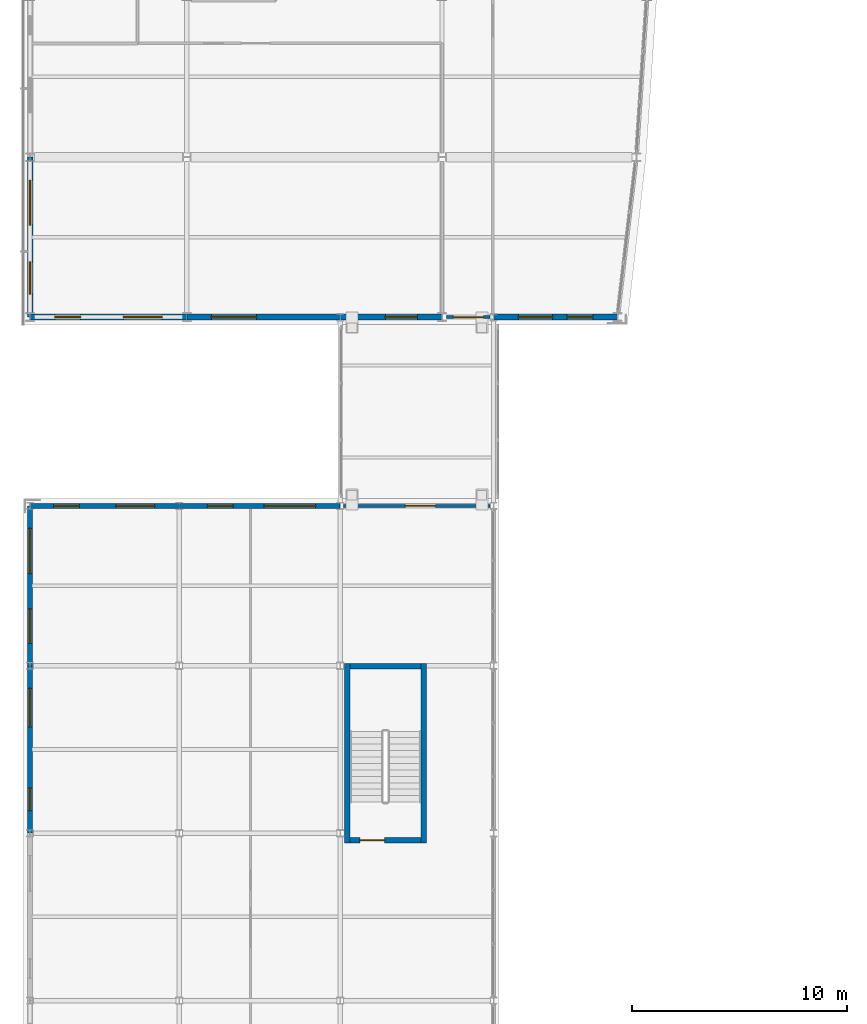
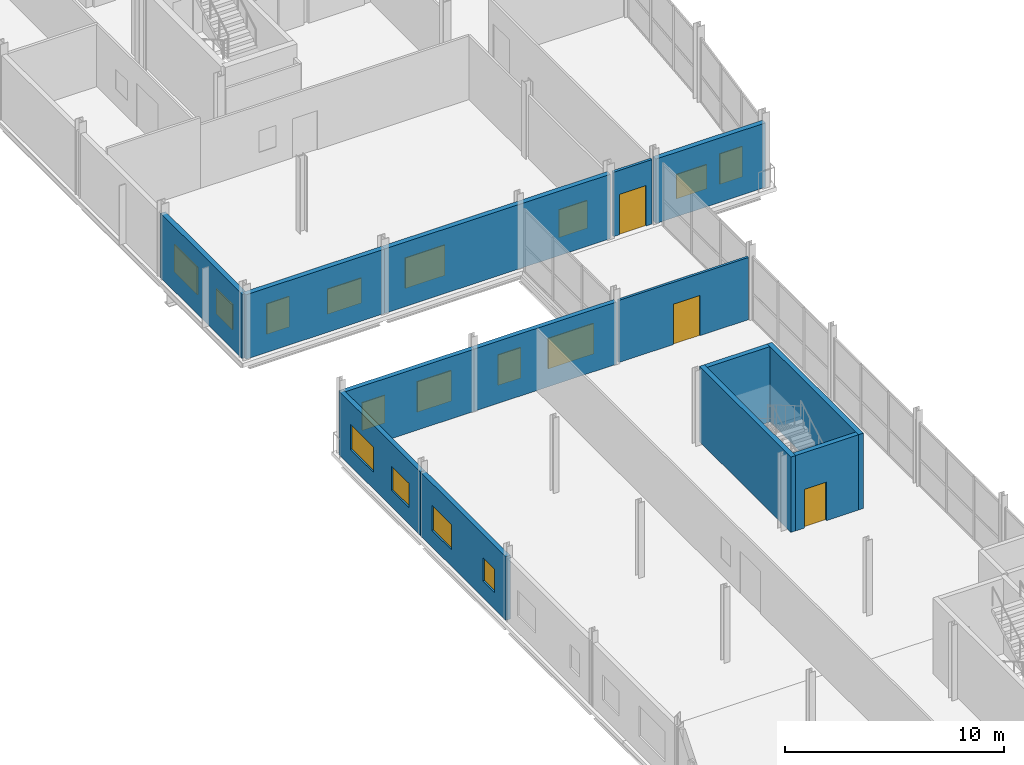
# One storey, part 49 of 60: 16 windows, 14 walls, 3 doors, 19 openings.
"""IFC4 building model written with IfcOpenShell, lengths in metres."""

import ifcopenshell
import ifcopenshell.guid

model = None  # the IFC model being written
_history = None  # IfcOwnerHistory: only IFC2X3 demands one
_inside = {}  # id of a spatial element -> (the spatial element, [elements in it])
_under = {}  # id of a project, library or spatial element -> (it, [spatial elements below it])
_declared = {}  # id of a project -> (the project, [libraries it declares])
_typed = {}  # id of a type object -> (the type object, [elements of that type])
_made_of = {}  # id of a material, layer set ... -> (it, [elements and type objects made of it])


def new_model(schema):
    """Start an empty IFC model of exactly this schema.

    Asked for "IFC4X3", IfcOpenShell would pick the latest addendum, in which some entities
    have other attributes; the version numbers below select the first issue.
    IFC2X3 requires an IfcOwnerHistory on every rooted entity: one is made here for all.
    """
    global model, _history
    if schema == "IFC4X3":
        model = ifcopenshell.file(schema_version=(4, 3, 0, 0))
    else:
        model = ifcopenshell.file(schema=schema)
    _inside.clear()
    _under.clear()
    _declared.clear()
    _typed.clear()
    _made_of.clear()
    _history = None
    if model.schema == "IFC2X3":
        org = make("IfcOrganization", Name="unknown")
        user = make(
            "IfcPersonAndOrganization",
            ThePerson=make("IfcPerson", FamilyName="unknown"),
            TheOrganization=org,
        )
        app = make(
            "IfcApplication",
            ApplicationDeveloper=org,
            Version="unknown",
            ApplicationFullName="unknown",
            ApplicationIdentifier="unknown",
        )
        _history = make(
            "IfcOwnerHistory",
            OwningUser=user,
            OwningApplication=app,
            ChangeAction="ADDED",
            CreationDate=0,
        )
    return model


def make(cls, **values):
    """One entity of the class cls with the attributes given. An attribute that is None is left unset."""
    return model.create_entity(
        cls, **{name: value for name, value in values.items() if value is not None}
    )


def rooted(cls, **values):
    """An entity with a GlobalId (a new one), such as an element, a storey or a relation."""
    return make(cls, GlobalId=ifcopenshell.guid.new(), OwnerHistory=_history, **values)


def si_unit(unit_type, name, prefix=None):
    """IfcSIUnit, for example si_unit("LENGTHUNIT", "METRE", prefix="MILLI")."""
    return make("IfcSIUnit", UnitType=unit_type, Prefix=prefix, Name=name)


def assignment(units):
    """IfcUnitAssignment: the units of a project."""
    return None if units is None else make("IfcUnitAssignment", Units=units)


def point(xyz):
    """IfcCartesianPoint."""
    return None if xyz is None else make("IfcCartesianPoint", Coordinates=xyz)


def direction(xyz):
    """IfcDirection."""
    return None if xyz is None else make("IfcDirection", DirectionRatios=xyz)


def frame(location, z_axis=None, x_axis=None):
    """IfcAxis2Placement3D, a coordinate frame: its origin and axes. An axis left out is left unset."""
    return make(
        "IfcAxis2Placement3D",
        Location=point(location),
        Axis=direction(z_axis),
        RefDirection=direction(x_axis),
    )


def frame_2d(location, x_axis=None):
    """IfcAxis2Placement2D, a coordinate frame in the plane: its origin and x axis."""
    return make(
        "IfcAxis2Placement2D", Location=point(location), RefDirection=direction(x_axis)
    )


def origin():
    """The frame at (0, 0, 0) with its axes left unset."""
    return frame((0.0, 0.0, 0.0))


def place(relative_to, where):
    """IfcLocalPlacement: puts the frame where relative to a parent placement (None: the world)."""
    return make(
        "IfcLocalPlacement", PlacementRelTo=relative_to, RelativePlacement=where
    )


def context(
    kind, dimensions, precision=None, world=None, true_north=None, identifier=None
):
    """IfcGeometricRepresentationContext, for example the 3D "Model" context."""
    return make(
        "IfcGeometricRepresentationContext",
        ContextIdentifier=identifier,
        ContextType=kind,
        CoordinateSpaceDimension=dimensions,
        Precision=precision,
        WorldCoordinateSystem=world,
        TrueNorth=true_north,
    )


def subcontext(parent, identifier, kind, view, scale=None):
    """IfcGeometricRepresentationSubContext, for example "Body" below "Model"."""
    return make(
        "IfcGeometricRepresentationSubContext",
        ContextIdentifier=identifier,
        ContextType=kind,
        ParentContext=parent,
        TargetScale=scale,
        TargetView=view,
    )


def project(units=None, contexts=None):
    """IfcProject with its units and contexts."""
    return rooted(
        "IfcProject",
        Name="project",
        RepresentationContexts=contexts,
        UnitsInContext=assignment(units),
    )


def spatial(cls, under=None, at=None, **own):
    """A site, building, storey or space (cls), placed at a placement, below another one or the project."""
    s = rooted(cls, ObjectPlacement=at, **own)
    if under is not None:
        _under.setdefault(under.id(), (under, []))[1].append(s)
    return s


def profile(cls, at=None, kind="AREA", **sizes):
    """A parametric profile (cls). Its sizes go by their IFC names, for example OverallWidth=200.0."""
    return make(cls, ProfileType=kind, Position=at, **sizes)


def rectangle(**sizes):
    """IfcRectangleProfileDef."""
    return profile("IfcRectangleProfileDef", **sizes)


def extrude(swept, where, along, depth):
    """IfcExtrudedAreaSolid: the profile swept, set in the frame where, extruded along a direction by depth."""
    return make(
        "IfcExtrudedAreaSolid",
        SweptArea=swept,
        Position=where,
        ExtrudedDirection=direction(along),
        Depth=depth,
    )


def shape(context_of_items, identifier, shape_type, items):
    """IfcShapeRepresentation: the items that make up one representation, for example the "Body"."""
    return make(
        "IfcShapeRepresentation",
        ContextOfItems=context_of_items,
        RepresentationIdentifier=identifier,
        RepresentationType=shape_type,
        Items=items,
    )


def material(Name=None, Category=None):
    """IfcMaterial."""
    return make("IfcMaterial", Name=Name, Category=Category)


def layer(
    of_material, thickness, ventilated=None, Name=None, Category=None, Priority=None
):
    """IfcMaterialLayer: one layer of a wall or slab, of a material (None: an air gap)."""
    return make(
        "IfcMaterialLayer",
        Material=of_material,
        LayerThickness=thickness,
        IsVentilated=ventilated,
        Name=Name,
        Category=Category,
        Priority=Priority,
    )


def layer_set(layers, Name=None):
    """IfcMaterialLayerSet."""
    return make("IfcMaterialLayerSet", MaterialLayers=layers, LayerSetName=Name)


def made_of(thing, what):
    """Note that an element or type object is made of a material, layer set ...; save() writes the relation."""
    if what is not None:
        _made_of.setdefault(what.id(), (what, []))[1].append(thing)
    return thing


def type_object(cls, material=None, **own):
    """A type object (cls), such as IfcWallType, which elements share."""
    return made_of(rooted(cls, **own), material)


def element(
    cls,
    number,
    at=None,
    inside=None,
    cuts=None,
    type_object=None,
    material=None,
    context=None,
    identifier="Body",
    shape_type=None,
    held_by="IfcProductDefinitionShape",
    body=None,
    shapes=None,
    **own,
):
    """One element of the class cls, such as IfcWall. Its Tag is "e" and its number.

    at: its placement. inside: the storey or other place that contains it. cuts: it is an
    opening in that element (IfcRelVoidsElement). A single representation is given by context,
    identifier, shape_type and body (its items); several are given by shapes. held_by: the class
    of the entity that holds the representations. save() writes the other relations.
    """
    e = rooted(cls, Tag="e%d" % number, ObjectPlacement=at, **own)
    if body is not None:
        shapes = [shape(context, identifier, shape_type, body)]
    if shapes is not None:
        e.Representation = make(held_by, Representations=shapes)
    if inside is not None:
        _inside.setdefault(inside.id(), (inside, []))[1].append(e)
    if cuts is not None:
        rooted(
            "IfcRelVoidsElement", RelatingBuildingElement=cuts, RelatedOpeningElement=e
        )
    if type_object is not None:
        _typed.setdefault(type_object.id(), (type_object, []))[1].append(e)
    return made_of(e, material)


def fill(opening, filler):
    """IfcRelFillsElement: the door or window that sits in an opening."""
    return rooted(
        "IfcRelFillsElement",
        RelatingOpeningElement=opening,
        RelatedBuildingElement=filler,
    )


def aggregate(whole, parts):
    """IfcRelAggregates: a whole, such as a stair, and the parts it consists of."""
    return rooted("IfcRelAggregates", RelatingObject=whole, RelatedObjects=parts)


def save(model, path):
    """Write the relations noted so far, then the file.

    IfcRelAggregates (storeys below a building ...), IfcRelContainedInSpatialStructure (elements
    in a storey), IfcRelDefinesByType, IfcRelAssociatesMaterial and IfcRelDeclares: one each for
    every whole, place, type object, material and project.
    """
    for whole, parts in _under.values():
        aggregate(whole, parts)
    for where, things in _inside.values():
        rooted(
            "IfcRelContainedInSpatialStructure",
            RelatedElements=things,
            RelatingStructure=where,
        )
    for kind, things in _typed.values():
        rooted("IfcRelDefinesByType", RelatedObjects=things, RelatingType=kind)
    for what, things in _made_of.values():
        rooted("IfcRelAssociatesMaterial", RelatedObjects=things, RelatingMaterial=what)
    for by, libraries in _declared.values():
        rooted("IfcRelDeclares", RelatingContext=by, RelatedDefinitions=libraries)
    model.write(path)


model = new_model("IFC4")

# Units and contexts
model_context = context("Model", 3, precision=1e-05, world=origin(), true_north=direction((0.0, 1.0)))
body_context = subcontext(model_context, "Body", "Model", "MODEL_VIEW")
ifc_project = project(units=[si_unit("LENGTHUNIT", "METRE"), si_unit("AREAUNIT", "SQUARE_METRE"), si_unit("VOLUMEUNIT", "CUBIC_METRE"), si_unit("PLANEANGLEUNIT", "RADIAN"), si_unit("MASSUNIT", "GRAM", prefix="KILO")], contexts=[model_context])

# Site, building, storey
site_placement = place(None, origin())
site = spatial("IfcSite", under=ifc_project, at=site_placement, CompositionType="ELEMENT")
building_placement = place(site_placement, origin())
building = spatial("IfcBuilding", under=site, at=building_placement, Name="Quillay Park Conservatory", CompositionType="ELEMENT")
storey_placement = place(building_placement, frame((0.0, 0.0, 9.89990234375)))
storey = spatial("IfcBuildingStorey", under=building, at=storey_placement, Name="L02", CompositionType="ELEMENT", Elevation=9.89990234375)

# Wall, opening, door
ifc_material_1 = material(Name="Steel-Stud Acoustic Gypsum Board Partition", Category="steel")
ifc_layer_1 = layer(ifc_material_1, 0.1298828125)
ifc_layer_set_1 = layer_set([ifc_layer_1], Name="ACOUSTIC GYPSUM PARTITION 130 (Steel-Stud Acoustic Gypsum Board Partition)")
wall_type_1 = type_object("IfcWallType", Name="ACOUSTIC GYPSUM PARTITION 130", PredefinedType="PARTITIONING", material=ifc_layer_set_1)
wall_1_placement = place(storey_placement, frame((15.159912109375, 54.25, 0.0), z_axis=(0.0, 0.0, 1.0), x_axis=(1.0, 0.0, 0.0)))
wall_1 = element("IfcWall", 1, at=wall_1_placement, inside=storey, type_object=wall_type_1, Name="L02 Bridge LB-1 South Threshold Wall", PredefinedType="PARTITIONING", context=body_context, shape_type="SweptSolid", body=[
    extrude(rectangle(XDim=6.830078125, YDim=0.1298828125, at=frame_2d((3.4150390625, 0.0))), origin(), (0.0, 0.0, 1.0), 3.466064453125),
])
opening_1_placement = place(wall_1_placement, frame((2.875, 0.0, 0.0)))
opening_1 = element("IfcOpeningElement", 2, at=opening_1_placement, cuts=wall_1, Name="Opening D-LB03", PredefinedType="OPENING", context=body_context, shape_type="SweptSolid", body=[
    extrude(rectangle(XDim=1.39990234375, YDim=2.25, at=frame_2d((0.699951171875, 1.125))), frame((0.0, 0.06494140625, 0.0), z_axis=(0.0, -1.0, 0.0), x_axis=(1.0, 0.0, 0.0)), (0.0, 0.0, 1.0), 0.1298828125),
])
ifc_material_2 = material(Name="Steel ASTM A572 Grade 50", Category="steel")
door_type_1 = type_object("IfcDoorType", Name="FIRE RATED LOBBY DOOR 1400 X2250", OperationType="NOTDEFINED", PredefinedType="DOOR", material=ifc_material_2)
door_1_placement = place(opening_1_placement, origin())
door_1 = element("IfcDoor", 3, at=door_1_placement, inside=storey, type_object=door_type_1, Name="L02 Door to L02 Covered Link Passage LB-1 South", OperationType="SINGLE_SWING_RIGHT", OverallHeight=2.25, OverallWidth=1.39990234375, PredefinedType="DOOR", context=body_context, shape_type="SweptSolid", body=[
    extrude(rectangle(XDim=1.39990234375, YDim=2.25, at=frame_2d((0.699951171875, 1.125))), frame((0.0, 0.02490234375, 0.0), z_axis=(0.0, -1.0, 0.0), x_axis=(1.0, 0.0, 0.0)), (0.0, 0.0, 1.0), 0.050048828125),
])
fill(opening_1, door_1)

ifc_material_3 = material(Name="Steel-Stud Acoustic Gypsum Board Partition", Category="steel")
ifc_layer_2 = layer(ifc_material_3, 0.139892578125)
ifc_layer_set_2 = layer_set([ifc_layer_2], Name="ACOUSTIC GYPSUM PARTITION 140 (Steel-Stud Acoustic Gypsum Board Partition)")
wall_type_2 = type_object("IfcWallType", Name="ACOUSTIC GYPSUM PARTITION 140", PredefinedType="PARTITIONING", material=ifc_layer_set_2)
wall_2_placement = place(storey_placement, frame((19.949951171875, 63.050048828125, 0.0), z_axis=(0.0, 0.0, 1.0), x_axis=(1.0, 0.0, 0.0)))
wall_2 = element("IfcWall", 4, at=wall_2_placement, inside=storey, type_object=wall_type_2, Name="L02 Bridge LB-1 North Threshold Wall", PredefinedType="PARTITIONING", context=body_context, shape_type="SweptSolid", body=[
    extrude(rectangle(XDim=2.0400390625, YDim=0.139892578125, at=frame_2d((1.02001953125, 0.0))), origin(), (0.0, 0.0, 1.0), 3.592041015625),
])
opening_2_placement = place(wall_2_placement, frame((0.320068359375, 0.0, 0.0)))
opening_2 = element("IfcOpeningElement", 5, at=opening_2_placement, cuts=wall_2, Name="Opening D-LB03", PredefinedType="OPENING", context=body_context, shape_type="SweptSolid", body=[
    extrude(rectangle(XDim=1.39990234375, YDim=2.25, at=frame_2d((0.699951171875, 1.125))), frame((0.0, 0.06982421875, 0.0), z_axis=(0.0, -1.0, 0.0), x_axis=(1.0, 0.0, 0.0)), (0.0, 0.0, 1.0), 0.139892578125),
])
door_2_placement = place(opening_2_placement, origin())
door_2 = element("IfcDoor", 6, at=door_2_placement, inside=storey, type_object=door_type_1, Name="L02 Door to L02 Covered Link Passage LB-1 North", OperationType="SINGLE_SWING_LEFT", OverallHeight=2.25, OverallWidth=1.39990234375, PredefinedType="DOOR", context=body_context, shape_type="SweptSolid", body=[
    extrude(rectangle(XDim=1.39990234375, YDim=2.25, at=frame_2d((0.699951171875, 1.125))), frame((0.0, 0.02490234375, 0.0), z_axis=(0.0, -1.0, 0.0), x_axis=(1.0, 0.0, 0.0)), (0.0, 0.0, 1.0), 0.050048828125),
])
fill(opening_2, door_2)

# Walls
ifc_material_4 = material(Name="Concrete C40/50 (NCh170 Concrete C40/50)", Category="concrete")
ifc_layer_3 = layer(ifc_material_4, 0.25)
ifc_layer_set_3 = layer_set([ifc_layer_3], Name="CORE SHEAR WALL 250 (Concrete C40/50 (NCh170 Concrete C40/50))")
wall_type_3 = type_object("IfcWallType", Name="CORE SHEAR WALL 250", PredefinedType="SHEAR", material=ifc_layer_set_3)
for number, where, z_axis, x_axis, name in (
    (7, (15.324951171875, 38.550048828125, 0.0), (0.0, 0.0, 1.0), (0.0, 1.0, 0.0), "L02 Core Shear Wall WL-V2W-L02"),
    (8, (18.89501953125, 38.550048828125, 0.0), (0.0, 0.0, 1.0), (0.0, 1.0, 0.0), "L02 Core Shear Wall WL-V2E-L02"),
):
    element("IfcWall", number, at=place(storey_placement, frame(where, z_axis=z_axis, x_axis=x_axis)), inside=storey, type_object=wall_type_3, Name=name, PredefinedType="SHEAR", context=body_context, shape_type="SweptSolid", body=[
        extrude(rectangle(XDim=8.349853515625, YDim=0.25, at=frame_2d((4.1748046875, 0.0))), origin(), (0.0, 0.0, 1.0), 4.2001953125),
    ])
wall_3_placement = place(storey_placement, frame((15.449951171875, 46.77490234375, 0.0), z_axis=(0.0, 0.0, 1.0), x_axis=(1.0, 0.0, 0.0)))
element("IfcWall", 9, at=wall_3_placement, inside=storey, type_object=wall_type_3, Name="L02 Core Shear Wall WL-V2N-L02", PredefinedType="SHEAR", context=body_context, shape_type="SweptSolid", body=[
    extrude(rectangle(XDim=3.320068359375, YDim=0.25, at=frame_2d((1.66015625, 0.0))), origin(), (0.0, 0.0, 1.0), 4.2001953125),
])

# Wall, opening, door
wall_4_placement = place(storey_placement, frame((18.77001953125, 38.675048828125, 0.0), z_axis=(0.0, 0.0, 1.0), x_axis=(-1.0, 0.0, 0.0)))
wall_4 = element("IfcWall", 10, at=wall_4_placement, inside=storey, type_object=wall_type_3, Name="L02 Core Shear Wall WL-V2D-L02", PredefinedType="SHEAR", context=body_context, shape_type="SweptSolid", body=[
    extrude(rectangle(XDim=3.320068359375, YDim=0.25, at=frame_2d((1.66015625, 0.0))), origin(), (0.0, 0.0, 1.0), 4.2001953125),
])
opening_3_placement = place(wall_4_placement, frame((1.699951171875, 0.0, 0.0)))
opening_3 = element("IfcOpeningElement", 11, at=opening_3_placement, cuts=wall_4, Name="Opening D-ST02", PredefinedType="OPENING", context=body_context, shape_type="SweptSolid", body=[
    extrude(rectangle(XDim=1.14990234375, YDim=2.14990234375, at=frame_2d((0.574951171875, 1.074951171875))), frame((0.0, 0.125, 0.0), z_axis=(0.0, -1.0, 0.0), x_axis=(1.0, 0.0, 0.0)), (0.0, 0.0, 1.0), 0.25),
])
ifc_material_5 = material(Name="Steel ASTM A572 Grade 50", Category="steel")
door_type_2 = type_object("IfcDoorType", Name="FIRE RATED STAIR DOOR 1150 X2150", OperationType="NOTDEFINED", PredefinedType="DOOR", material=ifc_material_5)
door_3_placement = place(opening_3_placement, origin())
door_3 = element("IfcDoor", 12, at=door_3_placement, inside=storey, type_object=door_type_2, Name="L02 Visitor Stair ST-V2 Door", OperationType="SINGLE_SWING_RIGHT", OverallHeight=2.14990234375, OverallWidth=1.14990234375, PredefinedType="DOOR", context=body_context, shape_type="SweptSolid", body=[
    extrude(rectangle(XDim=1.14990234375, YDim=2.14990234375, at=frame_2d((0.574951171875, 1.074951171875))), frame((0.0, 0.02490234375, 0.0), z_axis=(0.0, -1.0, 0.0), x_axis=(1.0, 0.0, 0.0)), (0.0, 0.0, 1.0), 0.050048828125),
])
fill(opening_3, door_3)

# Wall, openings, windows
ifc_material_6 = material(Name="Glass-Fibre Reinforced Concrete (GRC) Cladding", Category="concrete")
ifc_layer_4 = layer(ifc_material_6, 0.239990234375)
ifc_layer_set_4 = layer_set([ifc_layer_4], Name="EXTERIOR SOLID WALL 240 (Glass-Fibre Reinforced Concrete (GRC) Cladding)")
wall_type_4 = type_object("IfcWallType", Name="EXTERIOR SOLID WALL 240", PredefinedType="SOLIDWALL", material=ifc_layer_set_4)
wall_5_placement = place(storey_placement, frame((0.550048828125, 39.0, 0.0), z_axis=(0.0, 0.0, 1.0), x_axis=(0.0, 1.0, 0.0)))
wall_5 = element("IfcWall", 13, at=wall_5_placement, inside=storey, type_object=wall_type_4, Name="L02 External Wall WL-EXT-V3W-L02-5", PredefinedType="SOLIDWALL", context=body_context, shape_type="SweptSolid", body=[
    extrude(rectangle(XDim=7.800048828125, YDim=0.239990234375, at=frame_2d((3.89990234375, 0.0))), origin(), (0.0, 0.0, 1.0), 3.5419921875),
])
opening_4_placement = place(wall_5_placement, frame((1.050048828125, 0.0, 0.919921875)))
opening_4 = element("IfcOpeningElement", 14, at=opening_4_placement, cuts=wall_5, Name="Opening W-18", PredefinedType="OPENING", context=body_context, shape_type="SweptSolid", body=[
    extrude(rectangle(XDim=1.050048828125, YDim=1.300048828125, at=frame_2d((0.52490234375, 0.64990234375))), frame((0.0, 0.1201171875, 0.0), z_axis=(0.0, -1.0, 0.0), x_axis=(1.0, 0.0, 0.0)), (0.0, 0.0, 1.0), 0.239990234375),
])
opening_5_placement = place(wall_5_placement, frame((4.949951171875, 0.0, 0.919921875)))
opening_5 = element("IfcOpeningElement", 15, at=opening_5_placement, cuts=wall_5, Name="Opening W-05", PredefinedType="OPENING", context=body_context, shape_type="SweptSolid", body=[
    extrude(rectangle(XDim=1.800048828125, YDim=1.39990234375, at=frame_2d((0.89990234375, 0.699951171875))), frame((0.0, 0.1201171875, 0.0), z_axis=(0.0, -1.0, 0.0), x_axis=(1.0, 0.0, 0.0)), (0.0, 0.0, 1.0), 0.239990234375),
])
ifc_material_7 = material(Name="Low-E Double Glazing (Laminated Tempered)", Category="glass")
window_type_1 = type_object("IfcWindowType", Name="FIXED CASEMENT WINDOW 1050 X1300", PartitioningType="SINGLE_PANEL", PredefinedType="WINDOW", material=ifc_material_7)
window_1_placement = place(opening_4_placement, origin())
window_1 = element("IfcWindow", 16, at=window_1_placement, inside=storey, type_object=window_type_1, Name="L02 Exterior Window 0043", OverallHeight=1.300048828125, OverallWidth=1.050048828125, PartitioningType="SINGLE_PANEL", PredefinedType="WINDOW", context=body_context, shape_type="SweptSolid", body=[
    extrude(rectangle(XDim=1.050048828125, YDim=1.300048828125, at=frame_2d((0.52490234375, 0.64990234375))), frame((0.0, 0.030029296875, 0.0), z_axis=(0.0, -1.0, 0.0), x_axis=(1.0, 0.0, 0.0)), (0.0, 0.0, 1.0), 0.06005859375),
])
fill(opening_4, window_1)
ifc_material_8 = material(Name="Low-E Double Glazing (Laminated Tempered)", Category="glass")
window_type_2 = type_object("IfcWindowType", Name="FIXED CASEMENT WINDOW 1800 X1400", PartitioningType="DOUBLE_PANEL_VERTICAL", PredefinedType="WINDOW", material=ifc_material_8)
window_2_placement = place(opening_5_placement, origin())
window_2 = element("IfcWindow", 17, at=window_2_placement, inside=storey, type_object=window_type_2, Name="L02 Exterior Window 0044", OverallHeight=1.39990234375, OverallWidth=1.800048828125, PartitioningType="DOUBLE_PANEL_VERTICAL", PredefinedType="WINDOW", context=body_context, shape_type="SweptSolid", body=[
    extrude(rectangle(XDim=1.800048828125, YDim=1.39990234375, at=frame_2d((0.89990234375, 0.699951171875))), frame((0.0, 0.030029296875, 0.0), z_axis=(0.0, -1.0, 0.0), x_axis=(1.0, 0.0, 0.0)), (0.0, 0.0, 1.0), 0.06005859375),
])
fill(opening_5, window_2)

wall_6_placement = place(storey_placement, frame((0.550048828125, 46.800048828125, 0.0), z_axis=(0.0, 0.0, 1.0), x_axis=(0.0, 1.0, 0.0)))
wall_6 = element("IfcWall", 18, at=wall_6_placement, inside=storey, type_object=wall_type_4, Name="L02 External Wall WL-EXT-V3W-L02-6", PredefinedType="SOLIDWALL", context=body_context, shape_type="SweptSolid", body=[
    extrude(rectangle(XDim=7.449951171875, YDim=0.239990234375, at=frame_2d((3.72509765625, 0.0))), origin(), (0.0, 0.0, 1.0), 3.5419921875),
])
opening_6_placement = place(wall_6_placement, frame((1.050048828125, 0.0, 0.919921875)))
opening_6 = element("IfcOpeningElement", 19, at=opening_6_placement, cuts=wall_6, Name="Opening W-19", PredefinedType="OPENING", context=body_context, shape_type="SweptSolid", body=[
    extrude(rectangle(XDim=1.60009765625, YDim=1.35009765625, at=frame_2d((0.800048828125, 0.675048828125))), frame((0.0, 0.1201171875, 0.0), z_axis=(0.0, -1.0, 0.0), x_axis=(1.0, 0.0, 0.0)), (0.0, 0.0, 1.0), 0.239990234375),
])
opening_7_placement = place(wall_6_placement, frame((4.300048828125, 0.0, 0.919921875)))
opening_7 = element("IfcOpeningElement", 20, at=opening_7_placement, cuts=wall_6, Name="Opening W-06", PredefinedType="OPENING", context=body_context, shape_type="SweptSolid", body=[
    extrude(rectangle(XDim=2.10009765625, YDim=1.39990234375, at=frame_2d((1.050048828125, 0.699951171875))), frame((0.0, 0.1201171875, 0.0), z_axis=(0.0, -1.0, 0.0), x_axis=(1.0, 0.0, 0.0)), (0.0, 0.0, 1.0), 0.239990234375),
])
ifc_material_9 = material(Name="Low-E Double Glazing (Laminated Tempered)", Category="glass")
window_type_3 = type_object("IfcWindowType", Name="FIXED CASEMENT WINDOW 1600 X1350", PartitioningType="DOUBLE_PANEL_VERTICAL", PredefinedType="WINDOW", material=ifc_material_9)
window_3_placement = place(opening_6_placement, origin())
window_3 = element("IfcWindow", 21, at=window_3_placement, inside=storey, type_object=window_type_3, Name="L02 Exterior Window 0045", OverallHeight=1.35009765625, OverallWidth=1.60009765625, PartitioningType="DOUBLE_PANEL_VERTICAL", PredefinedType="WINDOW", context=body_context, shape_type="SweptSolid", body=[
    extrude(rectangle(XDim=1.60009765625, YDim=1.35009765625, at=frame_2d((0.800048828125, 0.675048828125))), frame((0.0, 0.030029296875, 0.0), z_axis=(0.0, -1.0, 0.0), x_axis=(1.0, 0.0, 0.0)), (0.0, 0.0, 1.0), 0.06005859375),
])
fill(opening_6, window_3)
ifc_material_10 = material(Name="Low-E Double Glazing (Laminated Tempered)", Category="glass")
window_type_4 = type_object("IfcWindowType", Name="FIXED CASEMENT WINDOW 2100 X1400", PartitioningType="DOUBLE_PANEL_VERTICAL", PredefinedType="WINDOW", material=ifc_material_10)
window_4_placement = place(opening_7_placement, origin())
window_4 = element("IfcWindow", 22, at=window_4_placement, inside=storey, type_object=window_type_4, Name="L02 Exterior Window 0046", OverallHeight=1.39990234375, OverallWidth=2.10009765625, PartitioningType="DOUBLE_PANEL_VERTICAL", PredefinedType="WINDOW", context=body_context, shape_type="SweptSolid", body=[
    extrude(rectangle(XDim=2.10009765625, YDim=1.39990234375, at=frame_2d((1.050048828125, 0.699951171875))), frame((0.0, 0.030029296875, 0.0), z_axis=(0.0, -1.0, 0.0), x_axis=(1.0, 0.0, 0.0)), (0.0, 0.0, 1.0), 0.06005859375),
])
fill(opening_7, window_4)

wall_7_placement = place(storey_placement, frame((0.550048828125, 54.25, 0.0), z_axis=(0.0, 0.0, 1.0), x_axis=(1.0, 0.0, 0.0)))
wall_7 = element("IfcWall", 23, at=wall_7_placement, inside=storey, type_object=wall_type_4, Name="L02 External Wall WL-EXT-V3N1-L02", PredefinedType="SOLIDWALL", context=body_context, shape_type="SweptSolid", body=[
    extrude(rectangle(XDim=6.949951171875, YDim=0.239990234375, at=frame_2d((3.47509765625, 0.0))), origin(), (0.0, 0.0, 1.0), 3.466064453125),
])
opening_8_placement = place(wall_7_placement, frame((1.10009765625, 0.0, 0.919921875)))
opening_8 = element("IfcOpeningElement", 24, at=opening_8_placement, cuts=wall_7, Name="Opening W-07", PredefinedType="OPENING", context=body_context, shape_type="SweptSolid", body=[
    extrude(rectangle(XDim=1.199951171875, YDim=1.550048828125, at=frame_2d((0.60009765625, 0.77490234375))), frame((0.0, 0.1201171875, 0.0), z_axis=(0.0, -1.0, 0.0), x_axis=(1.0, 0.0, 0.0)), (0.0, 0.0, 1.0), 0.239990234375),
])
opening_9_placement = place(wall_7_placement, frame((4.0, 0.0, 0.919921875)))
opening_9 = element("IfcOpeningElement", 25, at=opening_9_placement, cuts=wall_7, Name="Opening W-14", PredefinedType="OPENING", context=body_context, shape_type="SweptSolid", body=[
    extrude(rectangle(XDim=1.800048828125, YDim=1.699951171875, at=frame_2d((0.89990234375, 0.85009765625))), frame((0.0, 0.1201171875, 0.0), z_axis=(0.0, -1.0, 0.0), x_axis=(1.0, 0.0, 0.0)), (0.0, 0.0, 1.0), 0.239990234375),
])
ifc_material_11 = material(Name="Low-E Double Glazing (Laminated Tempered)", Category="glass")
window_type_5 = type_object("IfcWindowType", Name="FIXED CASEMENT WINDOW 1200 X1550", PartitioningType="SINGLE_PANEL", PredefinedType="WINDOW", material=ifc_material_11)
window_5_placement = place(opening_8_placement, origin())
window_5 = element("IfcWindow", 26, at=window_5_placement, inside=storey, type_object=window_type_5, Name="L02 Exterior Window 0047", OverallHeight=1.550048828125, OverallWidth=1.199951171875, PartitioningType="SINGLE_PANEL", PredefinedType="WINDOW", context=body_context, shape_type="SweptSolid", body=[
    extrude(rectangle(XDim=1.199951171875, YDim=1.550048828125, at=frame_2d((0.60009765625, 0.77490234375))), frame((0.0, 0.030029296875, 0.0), z_axis=(0.0, -1.0, 0.0), x_axis=(1.0, 0.0, 0.0)), (0.0, 0.0, 1.0), 0.06005859375),
])
fill(opening_8, window_5)
ifc_material_12 = material(Name="Low-E Double Glazing (Laminated Tempered)", Category="glass")
window_type_6 = type_object("IfcWindowType", Name="FIXED CASEMENT WINDOW 1800 X1700", PartitioningType="DOUBLE_PANEL_VERTICAL", PredefinedType="WINDOW", material=ifc_material_12)
window_6_placement = place(opening_9_placement, origin())
window_6 = element("IfcWindow", 27, at=window_6_placement, inside=storey, type_object=window_type_6, Name="L02 Exterior Window 0048", OverallHeight=1.699951171875, OverallWidth=1.800048828125, PartitioningType="DOUBLE_PANEL_VERTICAL", PredefinedType="WINDOW", context=body_context, shape_type="SweptSolid", body=[
    extrude(rectangle(XDim=1.800048828125, YDim=1.699951171875, at=frame_2d((0.89990234375, 0.85009765625))), frame((0.0, 0.030029296875, 0.0), z_axis=(0.0, -1.0, 0.0), x_axis=(1.0, 0.0, 0.0)), (0.0, 0.0, 1.0), 0.06005859375),
])
fill(opening_9, window_6)

wall_8_placement = place(storey_placement, frame((7.5, 54.25, 0.0), z_axis=(0.0, 0.0, 1.0), x_axis=(1.0, 0.0, 0.0)))
wall_8 = element("IfcWall", 28, at=wall_8_placement, inside=storey, type_object=wall_type_4, Name="L02 External Wall WL-EXT-V3N2-L02", PredefinedType="SOLIDWALL", context=body_context, shape_type="SweptSolid", body=[
    extrude(rectangle(XDim=7.5, YDim=0.239990234375, at=frame_2d((3.75, 0.0))), origin(), (0.0, 0.0, 1.0), 3.466064453125),
])
opening_10_placement = place(wall_8_placement, frame((1.31494140625, 0.0, 0.919921875)))
opening_10 = element("IfcOpeningElement", 29, at=opening_10_placement, cuts=wall_8, Name="Opening W-12", PredefinedType="OPENING", context=body_context, shape_type="SweptSolid", body=[
    extrude(rectangle(XDim=1.199951171875, YDim=1.699951171875, at=frame_2d((0.60009765625, 0.85009765625))), frame((0.0, 0.1201171875, 0.0), z_axis=(0.0, -1.0, 0.0), x_axis=(1.0, 0.0, 0.0)), (0.0, 0.0, 1.0), 0.239990234375),
])
opening_11_placement = place(wall_8_placement, frame((3.955078125, 0.0, 0.919921875)))
opening_11 = element("IfcOpeningElement", 30, at=opening_11_placement, cuts=wall_8, Name="Opening W-16", PredefinedType="OPENING", context=body_context, shape_type="SweptSolid", body=[
    extrude(rectangle(XDim=2.39990234375, YDim=1.699951171875, at=frame_2d((1.199951171875, 0.85009765625))), frame((0.0, 0.1201171875, 0.0), z_axis=(0.0, -1.0, 0.0), x_axis=(1.0, 0.0, 0.0)), (0.0, 0.0, 1.0), 0.239990234375),
])
ifc_material_13 = material(Name="Low-E Double Glazing (Laminated Tempered)", Category="glass")
window_type_7 = type_object("IfcWindowType", Name="FIXED CASEMENT WINDOW 1200 X1700", PartitioningType="SINGLE_PANEL", PredefinedType="WINDOW", material=ifc_material_13)
window_7_placement = place(opening_10_placement, origin())
window_7 = element("IfcWindow", 31, at=window_7_placement, inside=storey, type_object=window_type_7, Name="L02 Exterior Window 0049", OverallHeight=1.699951171875, OverallWidth=1.199951171875, PartitioningType="SINGLE_PANEL", PredefinedType="WINDOW", context=body_context, shape_type="SweptSolid", body=[
    extrude(rectangle(XDim=1.199951171875, YDim=1.699951171875, at=frame_2d((0.60009765625, 0.85009765625))), frame((0.0, 0.030029296875, 0.0), z_axis=(0.0, -1.0, 0.0), x_axis=(1.0, 0.0, 0.0)), (0.0, 0.0, 1.0), 0.06005859375),
])
fill(opening_10, window_7)
ifc_material_14 = material(Name="Low-E Double Glazing (Laminated Tempered)", Category="glass")
window_type_8 = type_object("IfcWindowType", Name="FIXED CASEMENT WINDOW 2400 X1700", PartitioningType="DOUBLE_PANEL_VERTICAL", PredefinedType="WINDOW", material=ifc_material_14)
window_8_placement = place(opening_11_placement, origin())
window_8 = element("IfcWindow", 32, at=window_8_placement, inside=storey, type_object=window_type_8, Name="L02 Exterior Window 0050", OverallHeight=1.699951171875, OverallWidth=2.39990234375, PartitioningType="DOUBLE_PANEL_VERTICAL", PredefinedType="WINDOW", context=body_context, shape_type="SweptSolid", body=[
    extrude(rectangle(XDim=2.39990234375, YDim=1.699951171875, at=frame_2d((1.199951171875, 0.85009765625))), frame((0.0, 0.030029296875, 0.0), z_axis=(0.0, -1.0, 0.0), x_axis=(1.0, 0.0, 0.0)), (0.0, 0.0, 1.0), 0.06005859375),
])
fill(opening_11, window_8)

ifc_material_15 = material(Name="Glass-Fibre Reinforced Concrete (GRC) Cladding", Category="concrete")
ifc_layer_5 = layer(ifc_material_15, 0.260009765625)
ifc_layer_set_5 = layer_set([ifc_layer_5], Name="EXTERIOR SOLID WALL 260 (Glass-Fibre Reinforced Concrete (GRC) Cladding)")
wall_type_5 = type_object("IfcWallType", Name="EXTERIOR SOLID WALL 260", PredefinedType="SOLIDWALL", material=ifc_layer_set_5)
wall_9_placement = place(storey_placement, frame((0.550048828125, 63.050048828125, 0.0), z_axis=(0.0, 0.0, 1.0), x_axis=(0.0, 1.0, 0.0)))
wall_9 = element("IfcWall", 33, at=wall_9_placement, inside=storey, type_object=wall_type_5, Name="L02 External Wall WL-EXT-V4W-L02-0", PredefinedType="SOLIDWALL", context=body_context, shape_type="SweptSolid", body=[
    extrude(rectangle(XDim=7.449951171875, YDim=0.260009765625, at=frame_2d((3.72509765625, 0.0))), origin(), (0.0, 0.0, 1.0), 3.592041015625),
])
opening_12_placement = place(wall_9_placement, frame((1.070068359375, 0.0, 0.919921875)))
opening_12 = element("IfcOpeningElement", 34, at=opening_12_placement, cuts=wall_9, Name="Opening W-03", PredefinedType="OPENING", context=body_context, shape_type="SweptSolid", body=[
    extrude(rectangle(XDim=1.5, YDim=1.39990234375, at=frame_2d((0.75, 0.699951171875))), frame((0.0, 0.1298828125, 0.0), z_axis=(0.0, -1.0, 0.0), x_axis=(1.0, 0.0, 0.0)), (0.0, 0.0, 1.0), 0.260009765625),
])
opening_13_placement = place(wall_9_placement, frame((4.280029296875, 0.0, 0.919921875)))
opening_13 = element("IfcOpeningElement", 35, at=opening_13_placement, cuts=wall_9, Name="Opening W-10", PredefinedType="OPENING", context=body_context, shape_type="SweptSolid", body=[
    extrude(rectangle(XDim=2.10009765625, YDim=1.550048828125, at=frame_2d((1.050048828125, 0.77490234375))), frame((0.0, 0.1298828125, 0.0), z_axis=(0.0, -1.0, 0.0), x_axis=(1.0, 0.0, 0.0)), (0.0, 0.0, 1.0), 0.260009765625),
])
ifc_material_16 = material(Name="Low-E Double Glazing (Laminated Tempered)", Category="glass")
window_type_9 = type_object("IfcWindowType", Name="FIXED CASEMENT WINDOW 1500 X1400", PartitioningType="SINGLE_PANEL", PredefinedType="WINDOW", material=ifc_material_16)
window_9_placement = place(opening_12_placement, origin())
window_9 = element("IfcWindow", 36, at=window_9_placement, inside=storey, type_object=window_type_9, Name="L02 Exterior Window 0105", OverallHeight=1.39990234375, OverallWidth=1.5, PartitioningType="SINGLE_PANEL", PredefinedType="WINDOW", context=body_context, shape_type="SweptSolid", body=[
    extrude(rectangle(XDim=1.5, YDim=1.39990234375, at=frame_2d((0.75, 0.699951171875))), frame((0.0, 0.030029296875, 0.0), z_axis=(0.0, -1.0, 0.0), x_axis=(1.0, 0.0, 0.0)), (0.0, 0.0, 1.0), 0.06005859375),
])
fill(opening_12, window_9)
ifc_material_17 = material(Name="Low-E Double Glazing (Laminated Tempered)", Category="glass")
window_type_10 = type_object("IfcWindowType", Name="FIXED CASEMENT WINDOW 2100 X1550", PartitioningType="DOUBLE_PANEL_VERTICAL", PredefinedType="WINDOW", material=ifc_material_17)
window_10_placement = place(opening_13_placement, origin())
window_10 = element("IfcWindow", 37, at=window_10_placement, inside=storey, type_object=window_type_10, Name="L02 Exterior Window 0106", OverallHeight=1.550048828125, OverallWidth=2.10009765625, PartitioningType="DOUBLE_PANEL_VERTICAL", PredefinedType="WINDOW", context=body_context, shape_type="SweptSolid", body=[
    extrude(rectangle(XDim=2.10009765625, YDim=1.550048828125, at=frame_2d((1.050048828125, 0.77490234375))), frame((0.0, 0.030029296875, 0.0), z_axis=(0.0, -1.0, 0.0), x_axis=(1.0, 0.0, 0.0)), (0.0, 0.0, 1.0), 0.06005859375),
])
fill(opening_13, window_10)

wall_10_placement = place(storey_placement, frame((7.85009765625, 63.050048828125, 0.0), z_axis=(0.0, 0.0, 1.0), x_axis=(-1.0, 0.0, 0.0)))
wall_10 = element("IfcWall", 38, at=wall_10_placement, inside=storey, type_object=wall_type_5, Name="L02 External Wall WL-EXT-V4S1-L02", PredefinedType="SOLIDWALL", context=body_context, shape_type="SweptSolid", body=[
    extrude(rectangle(XDim=7.300048828125, YDim=0.260009765625, at=frame_2d((3.64990234375, 0.0))), origin(), (0.0, 0.0, 1.0), 3.592041015625),
])
opening_14_placement = place(wall_10_placement, frame((1.14990234375, 0.0, 0.919921875)))
opening_14 = element("IfcOpeningElement", 39, at=opening_14_placement, cuts=wall_10, Name="Opening W-05", PredefinedType="OPENING", context=body_context, shape_type="SweptSolid", body=[
    extrude(rectangle(XDim=1.800048828125, YDim=1.39990234375, at=frame_2d((0.89990234375, 0.699951171875))), frame((0.0, 0.1298828125, 0.0), z_axis=(0.0, -1.0, 0.0), x_axis=(1.0, 0.0, 0.0)), (0.0, 0.0, 1.0), 0.260009765625),
])
opening_15_placement = place(wall_10_placement, frame((4.949951171875, 0.0, 0.919921875)))
opening_15 = element("IfcOpeningElement", 40, at=opening_15_placement, cuts=wall_10, Name="Opening W-12", PredefinedType="OPENING", context=body_context, shape_type="SweptSolid", body=[
    extrude(rectangle(XDim=1.199951171875, YDim=1.699951171875, at=frame_2d((0.60009765625, 0.85009765625))), frame((0.0, 0.1298828125, 0.0), z_axis=(0.0, -1.0, 0.0), x_axis=(1.0, 0.0, 0.0)), (0.0, 0.0, 1.0), 0.260009765625),
])
window_11_placement = place(opening_15_placement, origin())
window_11 = element("IfcWindow", 41, at=window_11_placement, inside=storey, type_object=window_type_7, Name="L02 Exterior Window 0119", OverallHeight=1.699951171875, OverallWidth=1.199951171875, PartitioningType="SINGLE_PANEL", PredefinedType="WINDOW", context=body_context, shape_type="SweptSolid", body=[
    extrude(rectangle(XDim=1.199951171875, YDim=1.699951171875, at=frame_2d((0.60009765625, 0.85009765625))), frame((0.0, 0.030029296875, 0.0), z_axis=(0.0, -1.0, 0.0), x_axis=(1.0, 0.0, 0.0)), (0.0, 0.0, 1.0), 0.06005859375),
])
fill(opening_15, window_11)
window_12_placement = place(opening_14_placement, origin())
window_12 = element("IfcWindow", 42, at=window_12_placement, inside=storey, type_object=window_type_2, Name="L02 Exterior Window 0118", OverallHeight=1.39990234375, OverallWidth=1.800048828125, PartitioningType="DOUBLE_PANEL_VERTICAL", PredefinedType="WINDOW", context=body_context, shape_type="SweptSolid", body=[
    extrude(rectangle(XDim=1.800048828125, YDim=1.39990234375, at=frame_2d((0.89990234375, 0.699951171875))), frame((0.0, 0.030029296875, 0.0), z_axis=(0.0, -1.0, 0.0), x_axis=(1.0, 0.0, 0.0)), (0.0, 0.0, 1.0), 0.06005859375),
])
fill(opening_14, window_12)

wall_11_placement = place(storey_placement, frame((19.75, 63.050048828125, 0.0), z_axis=(0.0, 0.0, 1.0), x_axis=(-1.0, 0.0, 0.0)))
wall_11 = element("IfcWall", 43, at=wall_11_placement, inside=storey, type_object=wall_type_5, Name="L02 External Wall WL-EXT-V4S2-L02", PredefinedType="SOLIDWALL", context=body_context, shape_type="SweptSolid", body=[
    extrude(rectangle(XDim=11.89990234375, YDim=0.260009765625, at=frame_2d((5.949951171875, 0.0))), origin(), (0.0, 0.0, 1.0), 3.592041015625),
])
opening_16_placement = place(wall_11_placement, frame((1.14990234375, 0.0, 0.919921875)))
opening_16 = element("IfcOpeningElement", 44, at=opening_16_placement, cuts=wall_11, Name="Opening W-08", PredefinedType="OPENING", context=body_context, shape_type="SweptSolid", body=[
    extrude(rectangle(XDim=1.5, YDim=1.550048828125, at=frame_2d((0.75, 0.77490234375))), frame((0.0, 0.1298828125, 0.0), z_axis=(0.0, -1.0, 0.0), x_axis=(1.0, 0.0, 0.0)), (0.0, 0.0, 1.0), 0.260009765625),
])
opening_17_placement = place(wall_11_placement, frame((8.64990234375, 0.0, 0.919921875)))
opening_17 = element("IfcOpeningElement", 45, at=opening_17_placement, cuts=wall_11, Name="Opening W-15", PredefinedType="OPENING", context=body_context, shape_type="SweptSolid", body=[
    extrude(rectangle(XDim=2.10009765625, YDim=1.699951171875, at=frame_2d((1.050048828125, 0.85009765625))), frame((0.0, 0.1298828125, 0.0), z_axis=(0.0, -1.0, 0.0), x_axis=(1.0, 0.0, 0.0)), (0.0, 0.0, 1.0), 0.260009765625),
])
ifc_material_18 = material(Name="Low-E Double Glazing (Laminated Tempered)", Category="glass")
window_type_11 = type_object("IfcWindowType", Name="FIXED CASEMENT WINDOW 1500 X1550", PartitioningType="SINGLE_PANEL", PredefinedType="WINDOW", material=ifc_material_18)
window_13_placement = place(opening_16_placement, origin())
window_13 = element("IfcWindow", 46, at=window_13_placement, inside=storey, type_object=window_type_11, Name="L02 Exterior Window 0120", OverallHeight=1.550048828125, OverallWidth=1.5, PartitioningType="SINGLE_PANEL", PredefinedType="WINDOW", context=body_context, shape_type="SweptSolid", body=[
    extrude(rectangle(XDim=1.5, YDim=1.550048828125, at=frame_2d((0.75, 0.77490234375))), frame((0.0, 0.030029296875, 0.0), z_axis=(0.0, -1.0, 0.0), x_axis=(1.0, 0.0, 0.0)), (0.0, 0.0, 1.0), 0.06005859375),
])
fill(opening_16, window_13)
ifc_material_19 = material(Name="Low-E Double Glazing (Laminated Tempered)", Category="glass")
window_type_12 = type_object("IfcWindowType", Name="FIXED CASEMENT WINDOW 2100 X1700", PartitioningType="DOUBLE_PANEL_VERTICAL", PredefinedType="WINDOW", material=ifc_material_19)
window_14_placement = place(opening_17_placement, origin())
window_14 = element("IfcWindow", 47, at=window_14_placement, inside=storey, type_object=window_type_12, Name="L02 Exterior Window 0121", OverallHeight=1.699951171875, OverallWidth=2.10009765625, PartitioningType="DOUBLE_PANEL_VERTICAL", PredefinedType="WINDOW", context=body_context, shape_type="SweptSolid", body=[
    extrude(rectangle(XDim=2.10009765625, YDim=1.699951171875, at=frame_2d((1.050048828125, 0.85009765625))), frame((0.0, 0.030029296875, 0.0), z_axis=(0.0, -1.0, 0.0), x_axis=(1.0, 0.0, 0.0)), (0.0, 0.0, 1.0), 0.06005859375),
])
fill(opening_17, window_14)

wall_12_placement = place(storey_placement, frame((27.925048828125, 63.050048828125, 0.0), z_axis=(0.0, 0.0, 1.0), x_axis=(-1.0, 0.0, 0.0)))
wall_12 = element("IfcWall", 48, at=wall_12_placement, inside=storey, type_object=wall_type_5, Name="L02 External Wall WL-EXT-V4S3-L02", PredefinedType="SOLIDWALL", context=body_context, shape_type="SweptSolid", body=[
    extrude(rectangle(XDim=5.775146484375, YDim=0.260009765625, at=frame_2d((2.8876953125, 0.0))), origin(), (0.0, 0.0, 1.0), 3.592041015625),
])
opening_18_placement = place(wall_12_placement, frame((1.14990234375, 0.0, 0.919921875)))
opening_18 = element("IfcOpeningElement", 49, at=opening_18_placement, cuts=wall_12, Name="Opening W-12", PredefinedType="OPENING", context=body_context, shape_type="SweptSolid", body=[
    extrude(rectangle(XDim=1.199951171875, YDim=1.699951171875, at=frame_2d((0.60009765625, 0.85009765625))), frame((0.0, 0.1298828125, 0.0), z_axis=(0.0, -1.0, 0.0), x_axis=(1.0, 0.0, 0.0)), (0.0, 0.0, 1.0), 0.260009765625),
])
opening_19_placement = place(wall_12_placement, frame((3.02490234375, 0.0, 0.919921875)))
opening_19 = element("IfcOpeningElement", 50, at=opening_19_placement, cuts=wall_12, Name="Opening W-19", PredefinedType="OPENING", context=body_context, shape_type="SweptSolid", body=[
    extrude(rectangle(XDim=1.60009765625, YDim=1.35009765625, at=frame_2d((0.800048828125, 0.675048828125))), frame((0.0, 0.1298828125, 0.0), z_axis=(0.0, -1.0, 0.0), x_axis=(1.0, 0.0, 0.0)), (0.0, 0.0, 1.0), 0.260009765625),
])
window_15_placement = place(opening_18_placement, origin())
window_15 = element("IfcWindow", 51, at=window_15_placement, inside=storey, type_object=window_type_7, Name="L02 Exterior Window 0122", OverallHeight=1.699951171875, OverallWidth=1.199951171875, PartitioningType="SINGLE_PANEL", PredefinedType="WINDOW", context=body_context, shape_type="SweptSolid", body=[
    extrude(rectangle(XDim=1.199951171875, YDim=1.699951171875, at=frame_2d((0.60009765625, 0.85009765625))), frame((0.0, 0.030029296875, 0.0), z_axis=(0.0, -1.0, 0.0), x_axis=(1.0, 0.0, 0.0)), (0.0, 0.0, 1.0), 0.06005859375),
])
fill(opening_18, window_15)
window_16_placement = place(opening_19_placement, origin())
window_16 = element("IfcWindow", 52, at=window_16_placement, inside=storey, type_object=window_type_3, Name="L02 Exterior Window 0123", OverallHeight=1.35009765625, OverallWidth=1.60009765625, PartitioningType="DOUBLE_PANEL_VERTICAL", PredefinedType="WINDOW", context=body_context, shape_type="SweptSolid", body=[
    extrude(rectangle(XDim=1.60009765625, YDim=1.35009765625, at=frame_2d((0.800048828125, 0.675048828125))), frame((0.0, 0.030029296875, 0.0), z_axis=(0.0, -1.0, 0.0), x_axis=(1.0, 0.0, 0.0)), (0.0, 0.0, 1.0), 0.06005859375),
])
fill(opening_19, window_16)

save(model, "model.ifc")
